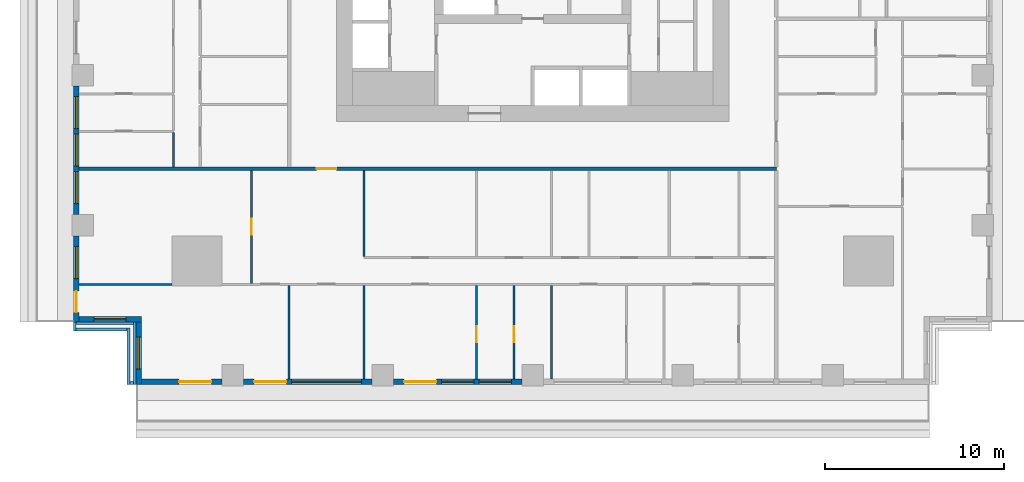
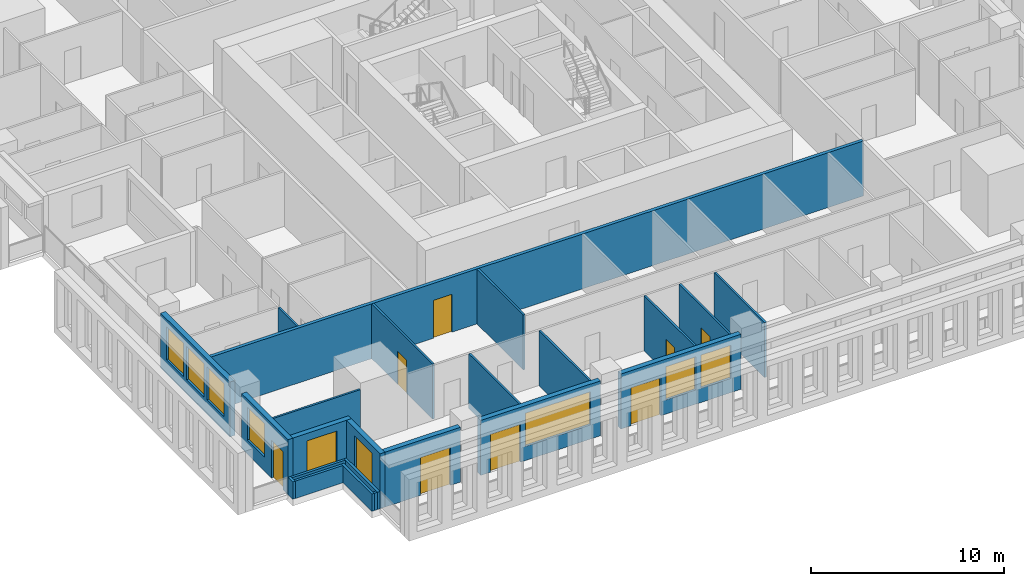
# One storey, part 2 of 16: 23 walls, 9 windows, 8 doors, 17 openings.
"""IFC4 building model written with IfcOpenShell, lengths in metres."""

import ifcopenshell
import ifcopenshell.guid

model = None  # the IFC model being written
_history = None  # IfcOwnerHistory: only IFC2X3 demands one
_inside = {}  # id of a spatial element -> (the spatial element, [elements in it])
_under = {}  # id of a project, library or spatial element -> (it, [spatial elements below it])
_declared = {}  # id of a project -> (the project, [libraries it declares])
_typed = {}  # id of a type object -> (the type object, [elements of that type])
_made_of = {}  # id of a material, layer set ... -> (it, [elements and type objects made of it])


def new_model(schema):
    """Start an empty IFC model of exactly this schema.

    Asked for "IFC4X3", IfcOpenShell would pick the latest addendum, in which some entities
    have other attributes; the version numbers below select the first issue.
    IFC2X3 requires an IfcOwnerHistory on every rooted entity: one is made here for all.
    """
    global model, _history
    if schema == "IFC4X3":
        model = ifcopenshell.file(schema_version=(4, 3, 0, 0))
    else:
        model = ifcopenshell.file(schema=schema)
    _inside.clear()
    _under.clear()
    _declared.clear()
    _typed.clear()
    _made_of.clear()
    _history = None
    if model.schema == "IFC2X3":
        org = make("IfcOrganization", Name="unknown")
        user = make(
            "IfcPersonAndOrganization",
            ThePerson=make("IfcPerson", FamilyName="unknown"),
            TheOrganization=org,
        )
        app = make(
            "IfcApplication",
            ApplicationDeveloper=org,
            Version="unknown",
            ApplicationFullName="unknown",
            ApplicationIdentifier="unknown",
        )
        _history = make(
            "IfcOwnerHistory",
            OwningUser=user,
            OwningApplication=app,
            ChangeAction="ADDED",
            CreationDate=0,
        )
    return model


def make(cls, **values):
    """One entity of the class cls with the attributes given. An attribute that is None is left unset."""
    return model.create_entity(
        cls, **{name: value for name, value in values.items() if value is not None}
    )


def rooted(cls, **values):
    """An entity with a GlobalId (a new one), such as an element, a storey or a relation."""
    return make(cls, GlobalId=ifcopenshell.guid.new(), OwnerHistory=_history, **values)


def si_unit(unit_type, name, prefix=None):
    """IfcSIUnit, for example si_unit("LENGTHUNIT", "METRE", prefix="MILLI")."""
    return make("IfcSIUnit", UnitType=unit_type, Prefix=prefix, Name=name)


def assignment(units):
    """IfcUnitAssignment: the units of a project."""
    return None if units is None else make("IfcUnitAssignment", Units=units)


def point(xyz):
    """IfcCartesianPoint."""
    return None if xyz is None else make("IfcCartesianPoint", Coordinates=xyz)


def direction(xyz):
    """IfcDirection."""
    return None if xyz is None else make("IfcDirection", DirectionRatios=xyz)


def frame(location, z_axis=None, x_axis=None):
    """IfcAxis2Placement3D, a coordinate frame: its origin and axes. An axis left out is left unset."""
    return make(
        "IfcAxis2Placement3D",
        Location=point(location),
        Axis=direction(z_axis),
        RefDirection=direction(x_axis),
    )


def frame_2d(location, x_axis=None):
    """IfcAxis2Placement2D, a coordinate frame in the plane: its origin and x axis."""
    return make(
        "IfcAxis2Placement2D", Location=point(location), RefDirection=direction(x_axis)
    )


def origin():
    """The frame at (0, 0, 0) with its axes left unset."""
    return frame((0.0, 0.0, 0.0))


def place(relative_to, where):
    """IfcLocalPlacement: puts the frame where relative to a parent placement (None: the world)."""
    return make(
        "IfcLocalPlacement", PlacementRelTo=relative_to, RelativePlacement=where
    )


def context(
    kind, dimensions, precision=None, world=None, true_north=None, identifier=None
):
    """IfcGeometricRepresentationContext, for example the 3D "Model" context."""
    return make(
        "IfcGeometricRepresentationContext",
        ContextIdentifier=identifier,
        ContextType=kind,
        CoordinateSpaceDimension=dimensions,
        Precision=precision,
        WorldCoordinateSystem=world,
        TrueNorth=true_north,
    )


def subcontext(parent, identifier, kind, view, scale=None):
    """IfcGeometricRepresentationSubContext, for example "Body" below "Model"."""
    return make(
        "IfcGeometricRepresentationSubContext",
        ContextIdentifier=identifier,
        ContextType=kind,
        ParentContext=parent,
        TargetScale=scale,
        TargetView=view,
    )


def project(units=None, contexts=None):
    """IfcProject with its units and contexts."""
    return rooted(
        "IfcProject",
        Name="project",
        RepresentationContexts=contexts,
        UnitsInContext=assignment(units),
    )


def spatial(cls, under=None, at=None, **own):
    """A site, building, storey or space (cls), placed at a placement, below another one or the project."""
    s = rooted(cls, ObjectPlacement=at, **own)
    if under is not None:
        _under.setdefault(under.id(), (under, []))[1].append(s)
    return s


def profile(cls, at=None, kind="AREA", **sizes):
    """A parametric profile (cls). Its sizes go by their IFC names, for example OverallWidth=200.0."""
    return make(cls, ProfileType=kind, Position=at, **sizes)


def rectangle(**sizes):
    """IfcRectangleProfileDef."""
    return profile("IfcRectangleProfileDef", **sizes)


def extrude(swept, where, along, depth):
    """IfcExtrudedAreaSolid: the profile swept, set in the frame where, extruded along a direction by depth."""
    return make(
        "IfcExtrudedAreaSolid",
        SweptArea=swept,
        Position=where,
        ExtrudedDirection=direction(along),
        Depth=depth,
    )


def shape(context_of_items, identifier, shape_type, items):
    """IfcShapeRepresentation: the items that make up one representation, for example the "Body"."""
    return make(
        "IfcShapeRepresentation",
        ContextOfItems=context_of_items,
        RepresentationIdentifier=identifier,
        RepresentationType=shape_type,
        Items=items,
    )


def material(Name=None, Category=None):
    """IfcMaterial."""
    return make("IfcMaterial", Name=Name, Category=Category)


def layer(
    of_material, thickness, ventilated=None, Name=None, Category=None, Priority=None
):
    """IfcMaterialLayer: one layer of a wall or slab, of a material (None: an air gap)."""
    return make(
        "IfcMaterialLayer",
        Material=of_material,
        LayerThickness=thickness,
        IsVentilated=ventilated,
        Name=Name,
        Category=Category,
        Priority=Priority,
    )


def layer_set(layers, Name=None):
    """IfcMaterialLayerSet."""
    return make("IfcMaterialLayerSet", MaterialLayers=layers, LayerSetName=Name)


def made_of(thing, what):
    """Note that an element or type object is made of a material, layer set ...; save() writes the relation."""
    if what is not None:
        _made_of.setdefault(what.id(), (what, []))[1].append(thing)
    return thing


def type_object(cls, material=None, **own):
    """A type object (cls), such as IfcWallType, which elements share."""
    return made_of(rooted(cls, **own), material)


def element(
    cls,
    number,
    at=None,
    inside=None,
    cuts=None,
    type_object=None,
    material=None,
    context=None,
    identifier="Body",
    shape_type=None,
    held_by="IfcProductDefinitionShape",
    body=None,
    shapes=None,
    **own,
):
    """One element of the class cls, such as IfcWall. Its Tag is "e" and its number.

    at: its placement. inside: the storey or other place that contains it. cuts: it is an
    opening in that element (IfcRelVoidsElement). A single representation is given by context,
    identifier, shape_type and body (its items); several are given by shapes. held_by: the class
    of the entity that holds the representations. save() writes the other relations.
    """
    e = rooted(cls, Tag="e%d" % number, ObjectPlacement=at, **own)
    if body is not None:
        shapes = [shape(context, identifier, shape_type, body)]
    if shapes is not None:
        e.Representation = make(held_by, Representations=shapes)
    if inside is not None:
        _inside.setdefault(inside.id(), (inside, []))[1].append(e)
    if cuts is not None:
        rooted(
            "IfcRelVoidsElement", RelatingBuildingElement=cuts, RelatedOpeningElement=e
        )
    if type_object is not None:
        _typed.setdefault(type_object.id(), (type_object, []))[1].append(e)
    return made_of(e, material)


def fill(opening, filler):
    """IfcRelFillsElement: the door or window that sits in an opening."""
    return rooted(
        "IfcRelFillsElement",
        RelatingOpeningElement=opening,
        RelatedBuildingElement=filler,
    )


def aggregate(whole, parts):
    """IfcRelAggregates: a whole, such as a stair, and the parts it consists of."""
    return rooted("IfcRelAggregates", RelatingObject=whole, RelatedObjects=parts)


def save(model, path):
    """Write the relations noted so far, then the file.

    IfcRelAggregates (storeys below a building ...), IfcRelContainedInSpatialStructure (elements
    in a storey), IfcRelDefinesByType, IfcRelAssociatesMaterial and IfcRelDeclares: one each for
    every whole, place, type object, material and project.
    """
    for whole, parts in _under.values():
        aggregate(whole, parts)
    for where, things in _inside.values():
        rooted(
            "IfcRelContainedInSpatialStructure",
            RelatedElements=things,
            RelatingStructure=where,
        )
    for kind, things in _typed.values():
        rooted("IfcRelDefinesByType", RelatedObjects=things, RelatingType=kind)
    for what, things in _made_of.values():
        rooted("IfcRelAssociatesMaterial", RelatedObjects=things, RelatingMaterial=what)
    for by, libraries in _declared.values():
        rooted("IfcRelDeclares", RelatingContext=by, RelatedDefinitions=libraries)
    model.write(path)


model = new_model("IFC4")

# Units and contexts
model_context = context("Model", 3, precision=1e-05, world=origin(), true_north=direction((0.0, 1.0)))
body_context = subcontext(model_context, "Body", "Model", "MODEL_VIEW")
ifc_project = project(units=[si_unit("LENGTHUNIT", "METRE"), si_unit("AREAUNIT", "SQUARE_METRE"), si_unit("VOLUMEUNIT", "CUBIC_METRE"), si_unit("PLANEANGLEUNIT", "RADIAN"), si_unit("MASSUNIT", "GRAM", prefix="KILO")], contexts=[model_context])

# Site, building, storey
site_placement = place(None, origin())
site = spatial("IfcSite", under=ifc_project, at=site_placement, CompositionType="ELEMENT")
building_placement = place(site_placement, origin())
building = spatial("IfcBuilding", under=site, at=building_placement, Name="Khepri Terraces", CompositionType="ELEMENT")
storey_placement = place(building_placement, frame((0.0, 0.0, 79.199951171875)))
storey = spatial("IfcBuildingStorey", under=building, at=storey_placement, Name="L18", CompositionType="ELEMENT", Elevation=79.199951171875)

# Wall, opening, door
ifc_material_1 = material(Name="Fire-rated gypsum plasterboard partition, mineral wool")
ifc_layer_1 = layer(ifc_material_1, 0.199951171875, Name="Fire-rated gypsum plasterboard partition, mineral wool")
ifc_layer_set_1 = layer_set([ifc_layer_1], Name="Fire-rated gypsum plasterboard partition, mineral wool")
wall_type_1 = type_object("IfcWallType", Name="WL-CORR-200", PredefinedType="PARTITIONING", material=ifc_layer_set_1)
wall_1_placement = place(storey_placement, frame((-25.419921875, -13.64990234375, 0.0), z_axis=(0.0, 0.0, 1.0), x_axis=(1.0, 0.0, 0.0)))
wall_1 = element("IfcWall", 1, at=wall_1_placement, inside=storey, type_object=wall_type_1, Name="Partition P-023 L18", PredefinedType="PARTITIONING", context=body_context, shape_type="SweptSolid", body=[
    extrude(rectangle(XDim=39.06982421875, YDim=0.199951171875, at=frame_2d((19.534912109375, 0.0))), origin(), (0.0, 0.0, 1.0), 3.47998046875),
])
opening_1_placement = place(wall_1_placement, frame((13.320068359375, 0.0, 0.0)))
opening_1 = element("IfcOpeningElement", 2, at=opening_1_placement, cuts=wall_1, Name="Opening D1", PredefinedType="OPENING", context=body_context, shape_type="SweptSolid", body=[
    extrude(rectangle(XDim=1.10009765625, YDim=2.39990234375, at=frame_2d((0.550048828125, 1.199951171875))), frame((0.0, 0.10986328125, 0.0), z_axis=(0.0, -1.0, 0.0), x_axis=(1.0, 0.0, 0.0)), (0.0, 0.0, 1.0), 0.219970703125),
])
ifc_material_2 = material(Name="Solid-core timber door leaf, flat entrance door", Category="wood")
door_type_1 = type_object("IfcDoorType", Name="DR-ENT-1100", OperationType="NOTDEFINED", PredefinedType="DOOR", material=ifc_material_2)
door_1_placement = place(opening_1_placement, frame((1.10009765625, 0.0, 0.0), z_axis=(0.0, 0.0, 1.0), x_axis=(-1.0, 0.0, 0.0)))
door_1 = element("IfcDoor", 3, at=door_1_placement, inside=storey, type_object=door_type_1, Name="Flat A1 entrance door", OperationType="SINGLE_SWING_RIGHT", OverallHeight=2.39990234375, OverallWidth=1.10009765625, PredefinedType="DOOR", context=body_context, shape_type="SweptSolid", body=[
    extrude(rectangle(XDim=1.10009765625, YDim=2.39990234375, at=frame_2d((0.550048828125, 1.199951171875))), frame((0.0, 0.02490234375, 0.0), z_axis=(0.0, -1.0, 0.0), x_axis=(1.0, 0.0, 0.0)), (0.0, 0.0, 1.0), 0.050048828125),
])
fill(opening_1, door_1)

# Wall, openings, windows
ifc_material_3 = material(Name="Precast concrete C50/60 warm stone", Category="masonry")
ifc_layer_2 = layer(ifc_material_3, 0.300048828125, Name="Precast concrete C50/60 warm stone", Category="masonry")
ifc_layer_set_2 = layer_set([ifc_layer_2], Name="Precast concrete C50/60 warm stone")
wall_type_2 = type_object("IfcWallType", Name="WL-EXT-PRECAST-300", PredefinedType="STANDARD", material=ifc_layer_set_2)
wall_2_placement = place(storey_placement, frame((-25.570068359375, -9.0, 0.0), z_axis=(0.0, 0.0, 1.0), x_axis=(0.0, -1.0, 0.0)))
wall_2 = element("IfcWall", 4, at=wall_2_placement, inside=storey, type_object=wall_type_2, Name="External wall L18 W", PredefinedType="STANDARD", context=body_context, shape_type="SweptSolid", body=[
    extrude(rectangle(XDim=7.199951171875, YDim=0.300048828125, at=frame_2d((3.60009765625, 0.0))), origin(), (0.0, 0.0, 1.0), 3.47998046875),
])
opening_2_placement = place(wall_2_placement, frame((0.60009765625, 0.0, 0.89990234375)))
opening_2 = element("IfcOpeningElement", 5, at=opening_2_placement, cuts=wall_2, Name="Opening W1", PredefinedType="OPENING", context=body_context, shape_type="SweptSolid", body=[
    extrude(rectangle(XDim=1.800048828125, YDim=2.10009765625, at=frame_2d((0.89990234375, 1.050048828125))), frame((0.0, 0.16015625, 0.0), z_axis=(0.0, -1.0, 0.0), x_axis=(1.0, 0.0, 0.0)), (0.0, 0.0, 1.0), 0.320068359375),
])
opening_3_placement = place(wall_2_placement, frame((2.699951171875, 0.0, 0.89990234375)))
opening_3 = element("IfcOpeningElement", 6, at=opening_3_placement, cuts=wall_2, Name="Opening W1", PredefinedType="OPENING", context=body_context, shape_type="SweptSolid", body=[
    extrude(rectangle(XDim=1.800048828125, YDim=2.10009765625, at=frame_2d((0.89990234375, 1.050048828125))), frame((0.0, 0.16015625, 0.0), z_axis=(0.0, -1.0, 0.0), x_axis=(1.0, 0.0, 0.0)), (0.0, 0.0, 1.0), 0.320068359375),
])
opening_4_placement = place(wall_2_placement, frame((4.800048828125, 0.0, 0.89990234375)))
opening_4 = element("IfcOpeningElement", 7, at=opening_4_placement, cuts=wall_2, Name="Opening W1", PredefinedType="OPENING", context=body_context, shape_type="SweptSolid", body=[
    extrude(rectangle(XDim=1.800048828125, YDim=2.10009765625, at=frame_2d((0.89990234375, 1.050048828125))), frame((0.0, 0.16015625, 0.0), z_axis=(0.0, -1.0, 0.0), x_axis=(1.0, 0.0, 0.0)), (0.0, 0.0, 1.0), 0.320068359375),
])
ifc_material_4 = material(Name="Clear glass", Category="glass")
window_type_1 = type_object("IfcWindowType", Name="WIN-RES-1800x2100", PartitioningType="SINGLE_PANEL", PredefinedType="WINDOW", material=ifc_material_4)
window_1_placement = place(opening_2_placement, origin())
window_1 = element("IfcWindow", 8, at=window_1_placement, inside=storey, type_object=window_type_1, Name="Window L18 W", OverallHeight=2.10009765625, OverallWidth=1.800048828125, PartitioningType="SINGLE_PANEL", PredefinedType="WINDOW", context=body_context, shape_type="SweptSolid", body=[
    extrude(rectangle(XDim=1.800048828125, YDim=2.10009765625, at=frame_2d((0.89990234375, 1.050048828125))), frame((0.0, 0.030029296875, 0.0), z_axis=(0.0, -1.0, 0.0), x_axis=(1.0, 0.0, 0.0)), (0.0, 0.0, 1.0), 0.06005859375),
])
fill(opening_2, window_1)
window_2_placement = place(opening_3_placement, origin())
window_2 = element("IfcWindow", 9, at=window_2_placement, inside=storey, type_object=window_type_1, Name="Window L18 W", OverallHeight=2.10009765625, OverallWidth=1.800048828125, PartitioningType="SINGLE_PANEL", PredefinedType="WINDOW", context=body_context, shape_type="SweptSolid", body=[
    extrude(rectangle(XDim=1.800048828125, YDim=2.10009765625, at=frame_2d((0.89990234375, 1.050048828125))), frame((0.0, 0.030029296875, 0.0), z_axis=(0.0, -1.0, 0.0), x_axis=(1.0, 0.0, 0.0)), (0.0, 0.0, 1.0), 0.06005859375),
])
fill(opening_3, window_2)
window_3_placement = place(opening_4_placement, origin())
window_3 = element("IfcWindow", 10, at=window_3_placement, inside=storey, type_object=window_type_1, Name="Window L18 W", OverallHeight=2.10009765625, OverallWidth=1.800048828125, PartitioningType="SINGLE_PANEL", PredefinedType="WINDOW", context=body_context, shape_type="SweptSolid", body=[
    extrude(rectangle(XDim=1.800048828125, YDim=2.10009765625, at=frame_2d((0.89990234375, 1.050048828125))), frame((0.0, 0.030029296875, 0.0), z_axis=(0.0, -1.0, 0.0), x_axis=(1.0, 0.0, 0.0)), (0.0, 0.0, 1.0), 0.06005859375),
])
fill(opening_4, window_3)

# Wall, openings, door, window
wall_3_placement = place(storey_placement, frame((-25.570068359375, -17.39990234375, 0.0), z_axis=(0.0, 0.0, 1.0), x_axis=(0.0, -1.0, 0.0)))
wall_3 = element("IfcWall", 11, at=wall_3_placement, inside=storey, type_object=wall_type_2, Name="External wall L18 W", PredefinedType="STANDARD", context=body_context, shape_type="SweptSolid", body=[
    extrude(rectangle(XDim=4.820068359375, YDim=0.300048828125, at=frame_2d((2.41015625, 0.0))), origin(), (0.0, 0.0, 1.0), 3.47998046875),
])
opening_5_placement = place(wall_3_placement, frame((0.60009765625, 0.0, 0.89990234375)))
opening_5 = element("IfcOpeningElement", 12, at=opening_5_placement, cuts=wall_3, Name="Opening W1", PredefinedType="OPENING", context=body_context, shape_type="SweptSolid", body=[
    extrude(rectangle(XDim=1.800048828125, YDim=2.10009765625, at=frame_2d((0.89990234375, 1.050048828125))), frame((0.0, 0.16015625, 0.0), z_axis=(0.0, -1.0, 0.0), x_axis=(1.0, 0.0, 0.0)), (0.0, 0.0, 1.0), 0.320068359375),
])
opening_6_placement = place(wall_3_placement, frame((3.094970703125, 0.0, 0.0)))
opening_6 = element("IfcOpeningElement", 13, at=opening_6_placement, cuts=wall_3, Name="Opening ED-L18-19", PredefinedType="OPENING", context=body_context, shape_type="SweptSolid", body=[
    extrude(rectangle(XDim=1.199951171875, YDim=2.39990234375, at=frame_2d((0.60009765625, 1.199951171875))), frame((0.0, 0.16015625, 0.0), z_axis=(0.0, -1.0, 0.0), x_axis=(1.0, 0.0, 0.0)), (0.0, 0.0, 1.0), 0.320068359375),
])
ifc_material_5 = material(Name="Anodised aluminium bronze glazed door", Category="aluminium")
door_type_2 = type_object("IfcDoorType", Name="DR-BAL-SLIDE-1200x2400", OperationType="NOTDEFINED", PredefinedType="DOOR", material=ifc_material_5)
door_2_placement = place(opening_6_placement, origin())
door_2 = element("IfcDoor", 14, at=door_2_placement, inside=storey, type_object=door_type_2, Name="Balcony door L18 W", OperationType="SLIDING_TO_RIGHT", OverallHeight=2.39990234375, OverallWidth=1.199951171875, PredefinedType="DOOR", context=body_context, shape_type="SweptSolid", body=[
    extrude(rectangle(XDim=1.199951171875, YDim=2.39990234375, at=frame_2d((0.60009765625, 1.199951171875))), frame((0.0, 0.02490234375, 0.0), z_axis=(0.0, -1.0, 0.0), x_axis=(1.0, 0.0, 0.0)), (0.0, 0.0, 1.0), 0.050048828125),
])
fill(opening_6, door_2)
window_4_placement = place(opening_5_placement, origin())
window_4 = element("IfcWindow", 15, at=window_4_placement, inside=storey, type_object=window_type_1, Name="Window L18 W", OverallHeight=2.10009765625, OverallWidth=1.800048828125, PartitioningType="SINGLE_PANEL", PredefinedType="WINDOW", context=body_context, shape_type="SweptSolid", body=[
    extrude(rectangle(XDim=1.800048828125, YDim=2.10009765625, at=frame_2d((0.89990234375, 1.050048828125))), frame((0.0, 0.030029296875, 0.0), z_axis=(0.0, -1.0, 0.0), x_axis=(1.0, 0.0, 0.0)), (0.0, 0.0, 1.0), 0.06005859375),
])
fill(opening_5, window_4)

# Wall, opening, window
wall_4_placement = place(storey_placement, frame((-25.419921875, -22.070068359375, 0.0), z_axis=(0.0, 0.0, 1.0), x_axis=(1.0, 0.0, 0.0)))
wall_4 = element("IfcWall", 16, at=wall_4_placement, inside=storey, type_object=wall_type_2, Name="External wall L18 S", PredefinedType="STANDARD", context=body_context, shape_type="SweptSolid", body=[
    extrude(rectangle(XDim=3.5, YDim=0.300048828125, at=frame_2d((1.75, 0.0))), origin(), (0.0, 0.0, 1.0), 3.47998046875),
])
opening_7_placement = place(wall_4_placement, frame((0.85009765625, 0.0, 0.89990234375)))
opening_7 = element("IfcOpeningElement", 17, at=opening_7_placement, cuts=wall_4, Name="Opening W1", PredefinedType="OPENING", context=body_context, shape_type="SweptSolid", body=[
    extrude(rectangle(XDim=1.800048828125, YDim=2.10009765625, at=frame_2d((0.89990234375, 1.050048828125))), frame((0.0, 0.16015625, 0.0), z_axis=(0.0, -1.0, 0.0), x_axis=(1.0, 0.0, 0.0)), (0.0, 0.0, 1.0), 0.320068359375),
])
window_5_placement = place(opening_7_placement, origin())
window_5 = element("IfcWindow", 18, at=window_5_placement, inside=storey, type_object=window_type_1, Name="Window L18 S", OverallHeight=2.10009765625, OverallWidth=1.800048828125, PartitioningType="SINGLE_PANEL", PredefinedType="WINDOW", context=body_context, shape_type="SweptSolid", body=[
    extrude(rectangle(XDim=1.800048828125, YDim=2.10009765625, at=frame_2d((0.89990234375, 1.050048828125))), frame((0.0, 0.030029296875, 0.0), z_axis=(0.0, -1.0, 0.0), x_axis=(1.0, 0.0, 0.0)), (0.0, 0.0, 1.0), 0.06005859375),
])
fill(opening_7, window_5)

wall_5_placement = place(storey_placement, frame((-22.070068359375, -22.219970703125, 0.0), z_axis=(0.0, 0.0, 1.0), x_axis=(0.0, -1.0, 0.0)))
wall_5 = element("IfcWall", 19, at=wall_5_placement, inside=storey, type_object=wall_type_2, Name="External wall L18 W", PredefinedType="STANDARD", context=body_context, shape_type="SweptSolid", body=[
    extrude(rectangle(XDim=3.5, YDim=0.300048828125, at=frame_2d((1.75, 0.0))), origin(), (0.0, 0.0, 1.0), 3.47998046875),
])
opening_8_placement = place(wall_5_placement, frame((0.85009765625, 0.0, 0.89990234375)))
opening_8 = element("IfcOpeningElement", 20, at=opening_8_placement, cuts=wall_5, Name="Opening W1", PredefinedType="OPENING", context=body_context, shape_type="SweptSolid", body=[
    extrude(rectangle(XDim=1.800048828125, YDim=2.10009765625, at=frame_2d((0.89990234375, 1.050048828125))), frame((0.0, 0.16015625, 0.0), z_axis=(0.0, -1.0, 0.0), x_axis=(1.0, 0.0, 0.0)), (0.0, 0.0, 1.0), 0.320068359375),
])
window_6_placement = place(opening_8_placement, origin())
window_6 = element("IfcWindow", 21, at=window_6_placement, inside=storey, type_object=window_type_1, Name="Window L18 W", OverallHeight=2.10009765625, OverallWidth=1.800048828125, PartitioningType="SINGLE_PANEL", PredefinedType="WINDOW", context=body_context, shape_type="SweptSolid", body=[
    extrude(rectangle(XDim=1.800048828125, YDim=2.10009765625, at=frame_2d((0.89990234375, 1.050048828125))), frame((0.0, 0.030029296875, 0.0), z_axis=(0.0, -1.0, 0.0), x_axis=(1.0, 0.0, 0.0)), (0.0, 0.0, 1.0), 0.06005859375),
])
fill(opening_8, window_6)

# Wall, opening, door
wall_6_placement = place(storey_placement, frame((-21.919921875, -25.570068359375, 0.0), z_axis=(0.0, 0.0, 1.0), x_axis=(1.0, 0.0, 0.0)))
wall_6 = element("IfcWall", 22, at=wall_6_placement, inside=storey, type_object=wall_type_2, Name="External wall L18 S", PredefinedType="STANDARD", context=body_context, shape_type="SweptSolid", body=[
    extrude(rectangle(XDim=4.52001953125, YDim=0.300048828125, at=frame_2d((2.260009765625, 0.0))), origin(), (0.0, 0.0, 1.0), 3.47998046875),
])
opening_9_placement = place(wall_6_placement, frame((2.1201171875, 0.0, 0.0)))
opening_9 = element("IfcOpeningElement", 23, at=opening_9_placement, cuts=wall_6, Name="Opening ED-L18-20", PredefinedType="OPENING", context=body_context, shape_type="SweptSolid", body=[
    extrude(rectangle(XDim=1.800048828125, YDim=2.39990234375, at=frame_2d((0.89990234375, 1.199951171875))), frame((0.0, 0.16015625, 0.0), z_axis=(0.0, -1.0, 0.0), x_axis=(1.0, 0.0, 0.0)), (0.0, 0.0, 1.0), 0.320068359375),
])
door_type_3 = type_object("IfcDoorType", Name="DR-BAL-SLIDE-1800x2400", OperationType="NOTDEFINED", PredefinedType="DOOR", material=ifc_material_5)
door_3_placement = place(opening_9_placement, origin())
door_3 = element("IfcDoor", 24, at=door_3_placement, inside=storey, type_object=door_type_3, Name="Balcony door L18 S", OperationType="SLIDING_TO_RIGHT", OverallHeight=2.39990234375, OverallWidth=1.800048828125, PredefinedType="DOOR", context=body_context, shape_type="SweptSolid", body=[
    extrude(rectangle(XDim=1.800048828125, YDim=2.39990234375, at=frame_2d((0.89990234375, 1.199951171875))), frame((0.0, 0.02490234375, 0.0), z_axis=(0.0, -1.0, 0.0), x_axis=(1.0, 0.0, 0.0)), (0.0, 0.0, 1.0), 0.050048828125),
])
fill(opening_9, door_3)

# Wall, openings, door, window
wall_7_placement = place(storey_placement, frame((-16.199951171875, -25.570068359375, 0.0), z_axis=(0.0, 0.0, 1.0), x_axis=(1.0, 0.0, 0.0)))
wall_7 = element("IfcWall", 25, at=wall_7_placement, inside=storey, type_object=wall_type_2, Name="External wall L18 S", PredefinedType="STANDARD", context=body_context, shape_type="SweptSolid", body=[
    extrude(rectangle(XDim=7.199951171875, YDim=0.300048828125, at=frame_2d((3.60009765625, 0.0))), origin(), (0.0, 0.0, 1.0), 3.47998046875),
])
opening_10_placement = place(wall_7_placement, frame((0.60009765625, 0.0, 0.0)))
opening_10 = element("IfcOpeningElement", 26, at=opening_10_placement, cuts=wall_7, Name="Opening ED-L18-21", PredefinedType="OPENING", context=body_context, shape_type="SweptSolid", body=[
    extrude(rectangle(XDim=1.800048828125, YDim=2.39990234375, at=frame_2d((0.89990234375, 1.199951171875))), frame((0.0, 0.16015625, 0.0), z_axis=(0.0, -1.0, 0.0), x_axis=(1.0, 0.0, 0.0)), (0.0, 0.0, 1.0), 0.320068359375),
])
opening_11_placement = place(wall_7_placement, frame((2.699951171875, 0.0, 0.89990234375)))
opening_11 = element("IfcOpeningElement", 27, at=opening_11_placement, cuts=wall_7, Name="Opening W2", PredefinedType="OPENING", context=body_context, shape_type="SweptSolid", body=[
    extrude(rectangle(XDim=3.89990234375, YDim=2.10009765625, at=frame_2d((1.949951171875, 1.050048828125))), frame((0.0, 0.16015625, 0.0), z_axis=(0.0, -1.0, 0.0), x_axis=(1.0, 0.0, 0.0)), (0.0, 0.0, 1.0), 0.320068359375),
])
door_4_placement = place(opening_10_placement, origin())
door_4 = element("IfcDoor", 28, at=door_4_placement, inside=storey, type_object=door_type_3, Name="Balcony door L18 S", OperationType="SLIDING_TO_LEFT", OverallHeight=2.39990234375, OverallWidth=1.800048828125, PredefinedType="DOOR", context=body_context, shape_type="SweptSolid", body=[
    extrude(rectangle(XDim=1.800048828125, YDim=2.39990234375, at=frame_2d((0.89990234375, 1.199951171875))), frame((0.0, 0.02490234375, 0.0), z_axis=(0.0, -1.0, 0.0), x_axis=(1.0, 0.0, 0.0)), (0.0, 0.0, 1.0), 0.050048828125),
])
fill(opening_10, door_4)
window_type_2 = type_object("IfcWindowType", Name="WIN-RES-3900x2100", PartitioningType="SINGLE_PANEL", PredefinedType="WINDOW", material=ifc_material_4)
window_7_placement = place(opening_11_placement, origin())
window_7 = element("IfcWindow", 29, at=window_7_placement, inside=storey, type_object=window_type_2, Name="Window L18 S", OverallHeight=2.10009765625, OverallWidth=3.89990234375, PartitioningType="SINGLE_PANEL", PredefinedType="WINDOW", context=body_context, shape_type="SweptSolid", body=[
    extrude(rectangle(XDim=3.89990234375, YDim=2.10009765625, at=frame_2d((1.949951171875, 1.050048828125))), frame((0.0, 0.030029296875, 0.0), z_axis=(0.0, -1.0, 0.0), x_axis=(1.0, 0.0, 0.0)), (0.0, 0.0, 1.0), 0.06005859375),
])
fill(opening_11, window_7)

# Wall, openings, door, windows
wall_8_placement = place(storey_placement, frame((-7.800048828125, -25.570068359375, 0.0), z_axis=(0.0, 0.0, 1.0), x_axis=(1.0, 0.0, 0.0)))
wall_8 = element("IfcWall", 30, at=wall_8_placement, inside=storey, type_object=wall_type_2, Name="External wall L18 S", PredefinedType="STANDARD", context=body_context, shape_type="SweptSolid", body=[
    extrude(rectangle(XDim=7.199951171875, YDim=0.300048828125, at=frame_2d((3.60009765625, 0.0))), origin(), (0.0, 0.0, 1.0), 3.47998046875),
])
opening_12_placement = place(wall_8_placement, frame((0.60009765625, 0.0, 0.0)))
opening_12 = element("IfcOpeningElement", 31, at=opening_12_placement, cuts=wall_8, Name="Opening ED-L18-22", PredefinedType="OPENING", context=body_context, shape_type="SweptSolid", body=[
    extrude(rectangle(XDim=1.800048828125, YDim=2.39990234375, at=frame_2d((0.89990234375, 1.199951171875))), frame((0.0, 0.16015625, 0.0), z_axis=(0.0, -1.0, 0.0), x_axis=(1.0, 0.0, 0.0)), (0.0, 0.0, 1.0), 0.320068359375),
])
opening_13_placement = place(wall_8_placement, frame((2.699951171875, 0.0, 0.89990234375)))
opening_13 = element("IfcOpeningElement", 32, at=opening_13_placement, cuts=wall_8, Name="Opening W1", PredefinedType="OPENING", context=body_context, shape_type="SweptSolid", body=[
    extrude(rectangle(XDim=1.800048828125, YDim=2.10009765625, at=frame_2d((0.89990234375, 1.050048828125))), frame((0.0, 0.16015625, 0.0), z_axis=(0.0, -1.0, 0.0), x_axis=(1.0, 0.0, 0.0)), (0.0, 0.0, 1.0), 0.320068359375),
])
opening_14_placement = place(wall_8_placement, frame((4.800048828125, 0.0, 0.89990234375)))
opening_14 = element("IfcOpeningElement", 33, at=opening_14_placement, cuts=wall_8, Name="Opening W1", PredefinedType="OPENING", context=body_context, shape_type="SweptSolid", body=[
    extrude(rectangle(XDim=1.800048828125, YDim=2.10009765625, at=frame_2d((0.89990234375, 1.050048828125))), frame((0.0, 0.16015625, 0.0), z_axis=(0.0, -1.0, 0.0), x_axis=(1.0, 0.0, 0.0)), (0.0, 0.0, 1.0), 0.320068359375),
])
door_5_placement = place(opening_12_placement, origin())
door_5 = element("IfcDoor", 34, at=door_5_placement, inside=storey, type_object=door_type_3, Name="Balcony door L18 S", OperationType="SLIDING_TO_LEFT", OverallHeight=2.39990234375, OverallWidth=1.800048828125, PredefinedType="DOOR", context=body_context, shape_type="SweptSolid", body=[
    extrude(rectangle(XDim=1.800048828125, YDim=2.39990234375, at=frame_2d((0.89990234375, 1.199951171875))), frame((0.0, 0.02490234375, 0.0), z_axis=(0.0, -1.0, 0.0), x_axis=(1.0, 0.0, 0.0)), (0.0, 0.0, 1.0), 0.050048828125),
])
fill(opening_12, door_5)
window_8_placement = place(opening_13_placement, origin())
window_8 = element("IfcWindow", 35, at=window_8_placement, inside=storey, type_object=window_type_1, Name="Window L18 S", OverallHeight=2.10009765625, OverallWidth=1.800048828125, PartitioningType="SINGLE_PANEL", PredefinedType="WINDOW", context=body_context, shape_type="SweptSolid", body=[
    extrude(rectangle(XDim=1.800048828125, YDim=2.10009765625, at=frame_2d((0.89990234375, 1.050048828125))), frame((0.0, 0.030029296875, 0.0), z_axis=(0.0, -1.0, 0.0), x_axis=(1.0, 0.0, 0.0)), (0.0, 0.0, 1.0), 0.06005859375),
])
fill(opening_13, window_8)
window_9_placement = place(opening_14_placement, origin())
window_9 = element("IfcWindow", 36, at=window_9_placement, inside=storey, type_object=window_type_1, Name="Window L18 S", OverallHeight=2.10009765625, OverallWidth=1.800048828125, PartitioningType="SINGLE_PANEL", PredefinedType="WINDOW", context=body_context, shape_type="SweptSolid", body=[
    extrude(rectangle(XDim=1.800048828125, YDim=2.10009765625, at=frame_2d((0.89990234375, 1.050048828125))), frame((0.0, 0.030029296875, 0.0), z_axis=(0.0, -1.0, 0.0), x_axis=(1.0, 0.0, 0.0)), (0.0, 0.0, 1.0), 0.06005859375),
])
fill(opening_14, window_9)

# Walls
ifc_layer_3 = layer(ifc_material_3, 0.14990234375, Name="Precast concrete C50/60 warm stone", Category="masonry")
ifc_layer_set_3 = layer_set([ifc_layer_3], Name="Precast concrete C50/60 warm stone")
wall_type_3 = type_object("IfcWallType", Name="WL-PARAPET-150", PredefinedType="PARAPET", material=ifc_layer_set_3)
wall_9_placement = place(storey_placement, frame((-25.64501953125, -22.719970703125, 0.0), z_axis=(0.0, 0.0, 1.0), x_axis=(0.0, 1.0, 0.0)))
element("IfcWall", 37, at=wall_9_placement, inside=storey, type_object=wall_type_3, Name="Ledge parapet L18", PredefinedType="PARAPET", context=body_context, shape_type="SweptSolid", body=[
    extrude(rectangle(XDim=0.5, YDim=0.14990234375, at=frame_2d((0.25, 0.0))), origin(), (0.0, 0.0, 1.0), 1.10009765625),
])
wall_10_placement = place(storey_placement, frame((-25.570068359375, -22.64501953125, 0.0), z_axis=(0.0, 0.0, 1.0), x_axis=(1.0, 0.0, 0.0)))
element("IfcWall", 38, at=wall_10_placement, inside=storey, type_object=wall_type_3, Name="Ledge parapet L18", PredefinedType="PARAPET", context=body_context, shape_type="SweptSolid", body=[
    extrude(rectangle(XDim=2.85009765625, YDim=0.14990234375, at=frame_2d((1.425048828125, 0.0))), origin(), (0.0, 0.0, 1.0), 1.10009765625),
])
wall_11_placement = place(storey_placement, frame((-25.570068359375, -22.294921875, 0.0), z_axis=(0.0, 0.0, 1.0), x_axis=(1.0, 0.0, 0.0)))
element("IfcWall", 39, at=wall_11_placement, inside=storey, type_object=wall_type_3, Name="Ledge parapet L18", PredefinedType="PARAPET", context=body_context, shape_type="SweptSolid", body=[
    extrude(rectangle(XDim=3.199951171875, YDim=0.14990234375, at=frame_2d((1.60009765625, 0.0))), origin(), (0.0, 0.0, 1.0), 1.10009765625),
])
wall_12_placement = place(storey_placement, frame((-22.64501953125, -25.719970703125, 0.0), z_axis=(0.0, 0.0, 1.0), x_axis=(0.0, 1.0, 0.0)))
element("IfcWall", 40, at=wall_12_placement, inside=storey, type_object=wall_type_3, Name="Ledge parapet L18", PredefinedType="PARAPET", context=body_context, shape_type="SweptSolid", body=[
    extrude(rectangle(XDim=3.14990234375, YDim=0.14990234375, at=frame_2d((1.574951171875, 0.0))), origin(), (0.0, 0.0, 1.0), 1.10009765625),
])
wall_13_placement = place(storey_placement, frame((-22.570068359375, -25.64501953125, 0.0), z_axis=(0.0, 0.0, 1.0), x_axis=(1.0, 0.0, 0.0)))
element("IfcWall", 41, at=wall_13_placement, inside=storey, type_object=wall_type_3, Name="Ledge parapet L18", PredefinedType="PARAPET", context=body_context, shape_type="SweptSolid", body=[
    extrude(rectangle(XDim=0.199951171875, YDim=0.14990234375, at=frame_2d((0.10009765625, 0.0))), origin(), (0.0, 0.0, 1.0), 1.10009765625),
])
wall_14_placement = place(storey_placement, frame((-22.294921875, -25.719970703125, 0.0), z_axis=(0.0, 0.0, 1.0), x_axis=(0.0, 1.0, 0.0)))
element("IfcWall", 42, at=wall_14_placement, inside=storey, type_object=wall_type_3, Name="Ledge parapet L18", PredefinedType="PARAPET", context=body_context, shape_type="SweptSolid", body=[
    extrude(rectangle(XDim=3.5, YDim=0.14990234375, at=frame_2d((1.75, 0.0))), origin(), (0.0, 0.0, 1.0), 1.10009765625),
])
ifc_material_6 = material(Name="Gypsum plasterboard partition")
ifc_layer_4 = layer(ifc_material_6, 0.1201171875, Name="Gypsum plasterboard partition")
ifc_layer_set_4 = layer_set([ifc_layer_4], Name="Gypsum plasterboard partition")
wall_type_4 = type_object("IfcWallType", Name="WL-PART-120", PredefinedType="PARTITIONING", material=ifc_layer_set_4)
for number, where, z_axis, x_axis, name in (
    (43, (-13.64990234375, -25.419921875, 0.0), (0.0, 0.0, 1.0), (0.0, 1.0, 0.0), "Partition P-001 L18"),
    (44, (-9.449951171875, -25.419921875, 0.0), (0.0, 0.0, 1.0), (0.0, 1.0, 0.0), "Partition P-002 L18"),
):
    element("IfcWall", number, at=place(storey_placement, frame(where, z_axis=z_axis, x_axis=x_axis)), inside=storey, type_object=wall_type_4, Name=name, PredefinedType="PARTITIONING", context=body_context, shape_type="SweptSolid", body=[
        extrude(rectangle(XDim=5.239990234375, YDim=0.1201171875, at=frame_2d((2.6201171875, 0.0))), origin(), (0.0, 0.0, 1.0), 3.47998046875),
    ])

# Wall, opening, door
wall_15_placement = place(storey_placement, frame((-3.14990234375, -25.419921875, 0.0), z_axis=(0.0, 0.0, 1.0), x_axis=(0.0, 1.0, 0.0)))
wall_15 = element("IfcWall", 45, at=wall_15_placement, inside=storey, type_object=wall_type_4, Name="Partition P-003 L18", PredefinedType="PARTITIONING", context=body_context, shape_type="SweptSolid", body=[
    extrude(rectangle(XDim=5.239990234375, YDim=0.1201171875, at=frame_2d((2.6201171875, 0.0))), origin(), (0.0, 0.0, 1.0), 3.47998046875),
])
opening_15_placement = place(wall_15_placement, frame((2.050048828125, 0.0, 0.0)))
opening_15 = element("IfcOpeningElement", 46, at=opening_15_placement, cuts=wall_15, Name="Opening D3", PredefinedType="OPENING", context=body_context, shape_type="SweptSolid", body=[
    extrude(rectangle(XDim=0.89990234375, YDim=2.10009765625, at=frame_2d((0.449951171875, 1.050048828125))), frame((0.0, 0.070068359375, 0.0), z_axis=(0.0, -1.0, 0.0), x_axis=(1.0, 0.0, 0.0)), (0.0, 0.0, 1.0), 0.14013671875),
])
ifc_material_7 = material(Name="Timber door leaf", Category="wood")
door_type_4 = type_object("IfcDoorType", Name="DR-INT-900", OperationType="NOTDEFINED", PredefinedType="DOOR", material=ifc_material_7)
door_6_placement = place(opening_15_placement, frame((0.89990234375, 0.0, 0.0), z_axis=(0.0, 0.0, 1.0), x_axis=(-1.0, 0.0, 0.0)))
door_6 = element("IfcDoor", 47, at=door_6_placement, inside=storey, type_object=door_type_4, Name="Door Dressing Room", OperationType="SINGLE_SWING_RIGHT", OverallHeight=2.10009765625, OverallWidth=0.89990234375, PredefinedType="DOOR", context=body_context, shape_type="SweptSolid", body=[
    extrude(rectangle(XDim=0.89990234375, YDim=2.10009765625, at=frame_2d((0.449951171875, 1.050048828125))), frame((0.0, 0.02490234375, 0.0), z_axis=(0.0, -1.0, 0.0), x_axis=(1.0, 0.0, 0.0)), (0.0, 0.0, 1.0), 0.050048828125),
])
fill(opening_15, door_6)

wall_16_placement = place(storey_placement, frame((-1.050048828125, -25.419921875, 0.0), z_axis=(0.0, 0.0, 1.0), x_axis=(0.0, 1.0, 0.0)))
wall_16 = element("IfcWall", 48, at=wall_16_placement, inside=storey, type_object=wall_type_4, Name="Partition P-004 L18", PredefinedType="PARTITIONING", context=body_context, shape_type="SweptSolid", body=[
    extrude(rectangle(XDim=5.239990234375, YDim=0.1201171875, at=frame_2d((2.6201171875, 0.0))), origin(), (0.0, 0.0, 1.0), 3.47998046875),
])
opening_16_placement = place(wall_16_placement, frame((2.050048828125, 0.0, 0.0)))
opening_16 = element("IfcOpeningElement", 49, at=opening_16_placement, cuts=wall_16, Name="Opening D4", PredefinedType="OPENING", context=body_context, shape_type="SweptSolid", body=[
    extrude(rectangle(XDim=0.89990234375, YDim=2.10009765625, at=frame_2d((0.449951171875, 1.050048828125))), frame((0.0, 0.070068359375, 0.0), z_axis=(0.0, -1.0, 0.0), x_axis=(1.0, 0.0, 0.0)), (0.0, 0.0, 1.0), 0.14013671875),
])
ifc_material_8 = material(Name="Timber door leaf, moisture resistant", Category="wood")
door_type_5 = type_object("IfcDoorType", Name="DR-WET-900", OperationType="NOTDEFINED", PredefinedType="DOOR", material=ifc_material_8)
door_7_placement = place(opening_16_placement, frame((0.89990234375, 0.0, 0.0), z_axis=(0.0, 0.0, 1.0), x_axis=(-1.0, 0.0, 0.0)))
door_7 = element("IfcDoor", 50, at=door_7_placement, inside=storey, type_object=door_type_5, Name="Door Bathroom", OperationType="SINGLE_SWING_RIGHT", OverallHeight=2.10009765625, OverallWidth=0.89990234375, PredefinedType="DOOR", context=body_context, shape_type="SweptSolid", body=[
    extrude(rectangle(XDim=0.89990234375, YDim=2.10009765625, at=frame_2d((0.449951171875, 1.050048828125))), frame((0.0, 0.02490234375, 0.0), z_axis=(0.0, -1.0, 0.0), x_axis=(1.0, 0.0, 0.0)), (0.0, 0.0, 1.0), 0.050048828125),
])
fill(opening_16, door_7)

# Walls
wall_17_placement = place(storey_placement, frame((1.050048828125, -25.419921875, 0.0), z_axis=(0.0, 0.0, 1.0), x_axis=(0.0, 1.0, 0.0)))
element("IfcWall", 51, at=wall_17_placement, inside=storey, type_object=wall_type_4, Name="Partition P-005 L18", PredefinedType="PARTITIONING", context=body_context, shape_type="SweptSolid", body=[
    extrude(rectangle(XDim=5.239990234375, YDim=0.1201171875, at=frame_2d((2.6201171875, 0.0))), origin(), (0.0, 0.0, 1.0), 3.47998046875),
])
wall_18_placement = place(storey_placement, frame((-25.419921875, -20.1201171875, 0.0), z_axis=(0.0, 0.0, 1.0), x_axis=(1.0, 0.0, 0.0)))
element("IfcWall", 52, at=wall_18_placement, inside=storey, type_object=wall_type_4, Name="Partition P-011 L18", PredefinedType="PARTITIONING", context=body_context, shape_type="SweptSolid", body=[
    extrude(rectangle(XDim=5.219970703125, YDim=0.1201171875, at=frame_2d((2.60986328125, 0.0))), origin(), (0.0, 0.0, 1.0), 3.47998046875),
])

# Wall, opening, door
wall_19_placement = place(storey_placement, frame((-15.75, -20.06005859375, 0.0), z_axis=(0.0, 0.0, 1.0), x_axis=(0.0, 1.0, 0.0)))
wall_19 = element("IfcWall", 53, at=wall_19_placement, inside=storey, type_object=wall_type_4, Name="Partition P-013 L18", PredefinedType="PARTITIONING", context=body_context, shape_type="SweptSolid", body=[
    extrude(rectangle(XDim=6.31005859375, YDim=0.1201171875, at=frame_2d((3.155029296875, 0.0))), origin(), (0.0, 0.0, 1.0), 3.47998046875),
])
opening_17_placement = place(wall_19_placement, frame((2.72509765625, 0.0, 0.0)))
opening_17 = element("IfcOpeningElement", 54, at=opening_17_placement, cuts=wall_19, Name="Opening D3", PredefinedType="OPENING", context=body_context, shape_type="SweptSolid", body=[
    extrude(rectangle(XDim=0.89990234375, YDim=2.10009765625, at=frame_2d((0.449951171875, 1.050048828125))), frame((0.0, 0.070068359375, 0.0), z_axis=(0.0, -1.0, 0.0), x_axis=(1.0, 0.0, 0.0)), (0.0, 0.0, 1.0), 0.14013671875),
])
door_8_placement = place(opening_17_placement, origin())
door_8 = element("IfcDoor", 55, at=door_8_placement, inside=storey, type_object=door_type_4, Name="Door Library", OperationType="SINGLE_SWING_RIGHT", OverallHeight=2.10009765625, OverallWidth=0.89990234375, PredefinedType="DOOR", context=body_context, shape_type="SweptSolid", body=[
    extrude(rectangle(XDim=0.89990234375, YDim=2.10009765625, at=frame_2d((0.449951171875, 1.050048828125))), frame((0.0, 0.02490234375, 0.0), z_axis=(0.0, -1.0, 0.0), x_axis=(1.0, 0.0, 0.0)), (0.0, 0.0, 1.0), 0.050048828125),
])
fill(opening_17, door_8)

# Walls
wall_20_placement = place(storey_placement, frame((-9.449951171875, -18.56005859375, 0.0), z_axis=(0.0, 0.0, 1.0), x_axis=(0.0, 1.0, 0.0)))
element("IfcWall", 56, at=wall_20_placement, inside=storey, type_object=wall_type_4, Name="Partition P-015 L18", PredefinedType="PARTITIONING", context=body_context, shape_type="SweptSolid", body=[
    extrude(rectangle(XDim=4.81005859375, YDim=0.1201171875, at=frame_2d((2.405029296875, 0.0))), origin(), (0.0, 0.0, 1.0), 3.47998046875),
])
wall_21_placement = place(storey_placement, frame((-20.1201171875, -13.550048828125, 0.0), z_axis=(0.0, 0.0, 1.0), x_axis=(0.0, 1.0, 0.0)))
element("IfcWall", 57, at=wall_21_placement, inside=storey, type_object=wall_type_4, Name="Partition P-026 L18", PredefinedType="PARTITIONING", context=body_context, shape_type="SweptSolid", body=[
    extrude(rectangle(XDim=1.93994140625, YDim=0.1201171875, at=frame_2d((0.969970703125, 0.0))), origin(), (0.0, 0.0, 1.0), 3.47998046875),
])

save(model, "model.ifc")
